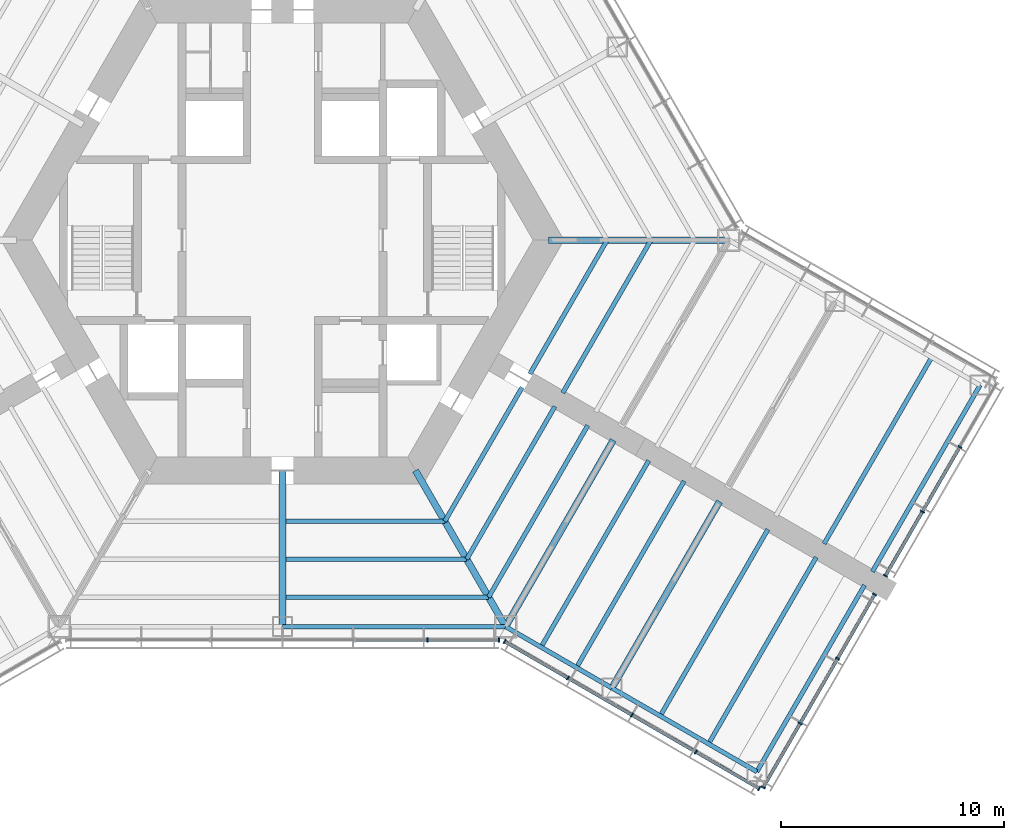
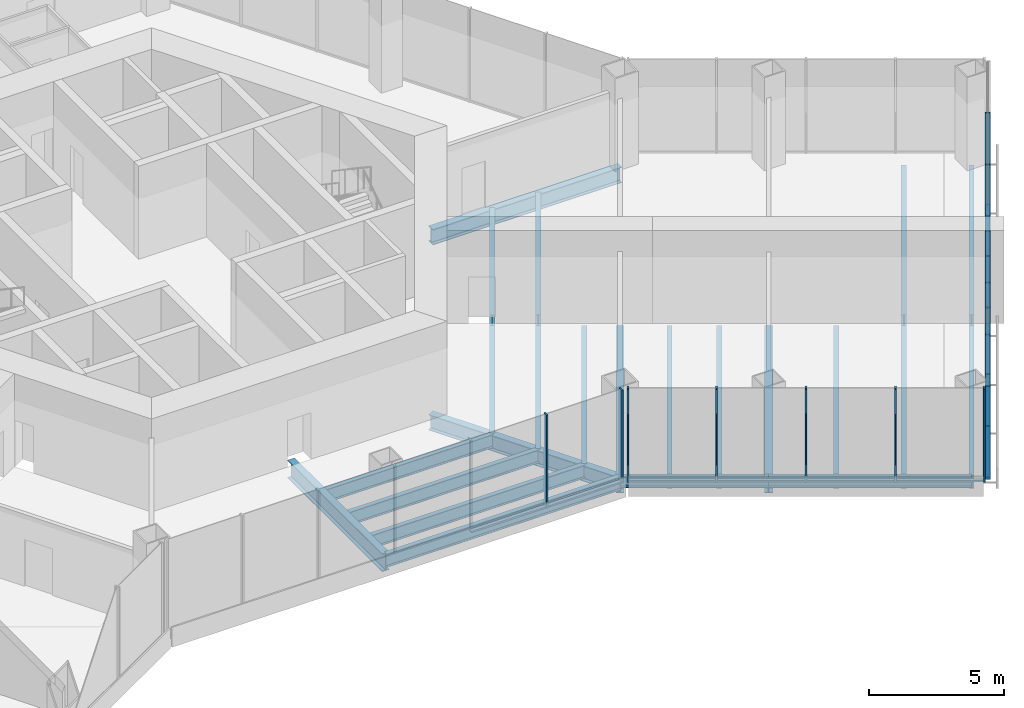
# One storey, part 4 of 15: 25 members, 23 beams, 4 elements without a shape of their own.
"""IFC4 building model written with IfcOpenShell, lengths in metres."""

from ifc_helpers import new_model, si_unit, direction, frame, origin, origin_2d, place, context, subcontext, project, spatial, rectangle, i_section, extrude, material, material_profile, profile_set, type_object, element, aggregate, save


model = new_model("IFC4")

# Units and contexts
model_context = context("Model", 3, precision=1e-05, world=origin(), true_north=direction((0.0, 1.0)))
body_context = subcontext(model_context, "Body", "Model", "MODEL_VIEW")
ifc_project = project(units=[si_unit("LENGTHUNIT", "METRE"), si_unit("AREAUNIT", "SQUARE_METRE"), si_unit("VOLUMEUNIT", "CUBIC_METRE"), si_unit("PLANEANGLEUNIT", "RADIAN"), si_unit("MASSUNIT", "GRAM", prefix="KILO")], contexts=[model_context])

# Site, building, storey
site_placement = place(None, origin())
site = spatial("IfcSite", under=ifc_project, at=site_placement, CompositionType="ELEMENT")
building_placement = place(site_placement, origin())
building = spatial("IfcBuilding", under=site, at=building_placement, Name="Kasaneha Research Tower", CompositionType="ELEMENT")
storey_placement = place(building_placement, frame((0.0, 0.0, 35.199951171875)))
storey = spatial("IfcBuildingStorey", under=building, at=storey_placement, Name="L09", CompositionType="ELEMENT", Elevation=35.199951171875)

# Beams
ifc_material_1 = material(Name="Steel SN490B", Category="steel")
ifc_material_profile_1 = material_profile(ifc_material_1, i_section(OverallWidth=0.199951171875, OverallDepth=0.60009765625, WebThickness=0.010986328125, FlangeThickness=0.01708984375, FilletRadius=0.012939453125, at=origin_2d()), Name="H-600x200x11x17")
ifc_profile_set_1 = profile_set([ifc_material_profile_1], Name="Steel SN490B")
beam_type_1 = type_object("IfcBeamType", Name="B1-2 secondary beam H-600x200x11x17", PredefinedType="JOIST", material=ifc_profile_set_1)
beam_1_placement = place(storey_placement, frame((7.274658203125, -12.60009765625, -0.469970703125), z_axis=(-1.0, 0.0, 0.0), x_axis=(0.0, -1.0, 0.0)))
element("IfcBeam", 1, at=beam_1_placement, inside=storey, type_object=beam_type_1, Name="Secondary beam RS270R1 L09", PredefinedType="JOIST", context=body_context, shape_type="SweptSolid", body=[
    extrude(i_section(OverallWidth=0.199951171875, OverallDepth=0.60009765625, WebThickness=0.010986328125, FlangeThickness=0.01708984375, FilletRadius=0.012939453125, at=origin_2d()), origin(), (0.0, 0.0, 1.0), 7.124755859375),
])
beam_2_placement = place(storey_placement, frame((8.256103515625, -14.300048828125, -0.469970703125), z_axis=(-1.0, 0.0, 0.0), x_axis=(0.0, -1.0, 0.0)))
element("IfcBeam", 2, at=beam_2_placement, inside=storey, type_object=beam_type_1, Name="Secondary beam RS270R2 L09", PredefinedType="JOIST", context=body_context, shape_type="SweptSolid", body=[
    extrude(i_section(OverallWidth=0.199951171875, OverallDepth=0.60009765625, WebThickness=0.010986328125, FlangeThickness=0.01708984375, FilletRadius=0.012939453125, at=origin_2d()), origin(), (0.0, 0.0, 1.0), 8.106201171875),
])
beam_3_placement = place(storey_placement, frame((9.237548828125, -16.0, -0.469970703125), z_axis=(-1.0, 0.0, 0.0), x_axis=(0.0, -1.0, 0.0)))
element("IfcBeam", 3, at=beam_3_placement, inside=storey, type_object=beam_type_1, Name="Secondary beam RS270R3 L09", PredefinedType="JOIST", context=body_context, shape_type="SweptSolid", body=[
    extrude(i_section(OverallWidth=0.199951171875, OverallDepth=0.60009765625, WebThickness=0.010986328125, FlangeThickness=0.01708984375, FilletRadius=0.012939453125, at=origin_2d()), origin(), (0.0, 0.0, 1.0), 9.087646484375),
])
beam_4_placement = place(storey_placement, frame((7.274658203125, -12.60009765625, -0.469970703125), z_axis=(0.499972710878, 0.866041158593, 0.0), x_axis=(-0.866041158593, 0.499972710878, 0.0)))
element("IfcBeam", 4, at=beam_4_placement, inside=storey, type_object=beam_type_1, Name="Secondary beam RS330L1 L09", PredefinedType="JOIST", context=body_context, shape_type="SweptSolid", body=[
    extrude(i_section(OverallWidth=0.199951171875, OverallDepth=0.60009765625, WebThickness=0.010986328125, FlangeThickness=0.01708984375, FilletRadius=0.012939453125, at=origin_2d()), origin(), (0.0, 0.0, 1.0), 6.9248046875),
])
beam_5_placement = place(storey_placement, frame((8.256103515625, -14.300048828125, -0.469970703125), z_axis=(0.500004902938, 0.866022573054, 0.0), x_axis=(-0.866022573054, 0.500004902938, 0.0)))
element("IfcBeam", 5, at=beam_5_placement, inside=storey, type_object=beam_type_1, Name="Secondary beam RS330L2 L09", PredefinedType="JOIST", context=body_context, shape_type="SweptSolid", body=[
    extrude(i_section(OverallWidth=0.199951171875, OverallDepth=0.60009765625, WebThickness=0.010986328125, FlangeThickness=0.01708984375, FilletRadius=0.012939453125, at=origin_2d()), origin(), (0.0, 0.0, 1.0), 7.90625),
])
beam_6_placement = place(storey_placement, frame((9.237548828125, -16.0, -0.469970703125), z_axis=(0.500009382636, 0.866019986649, 0.0), x_axis=(-0.866019986649, 0.500009382636, 0.0)))
element("IfcBeam", 6, at=beam_6_placement, inside=storey, type_object=beam_type_1, Name="Secondary beam RS330L3 L09", PredefinedType="JOIST", context=body_context, shape_type="SweptSolid", body=[
    extrude(i_section(OverallWidth=0.199951171875, OverallDepth=0.60009765625, WebThickness=0.010986328125, FlangeThickness=0.01708984375, FilletRadius=0.012939453125, at=origin_2d()), origin(), (0.0, 0.0, 1.0), 8.887451171875),
])
beam_7_placement = place(storey_placement, frame((14.54931640625, 0.0, -0.469970703125), z_axis=(-0.500014420154, -0.866017078145, 0.0), x_axis=(0.866017078145, -0.500014420154, 0.0)))
element("IfcBeam", 7, at=beam_7_placement, inside=storey, type_object=beam_type_1, Name="Secondary beam RS330R1 L09", PredefinedType="JOIST", context=body_context, shape_type="SweptSolid", body=[
    extrude(i_section(OverallWidth=0.199951171875, OverallDepth=0.60009765625, WebThickness=0.010986328125, FlangeThickness=0.01708984375, FilletRadius=0.012939453125, at=origin_2d()), origin(), (0.0, 0.0, 1.0), 6.924560546875),
])
beam_8_placement = place(storey_placement, frame((16.51220703125, 0.0, -0.469970703125), z_axis=(-0.500004902938, -0.866022573054, 0.0), x_axis=(0.866022573054, -0.500004902938, 0.0)))
element("IfcBeam", 8, at=beam_8_placement, inside=storey, type_object=beam_type_1, Name="Secondary beam RS330R2 L09", PredefinedType="JOIST", context=body_context, shape_type="SweptSolid", body=[
    extrude(i_section(OverallWidth=0.199951171875, OverallDepth=0.60009765625, WebThickness=0.010986328125, FlangeThickness=0.01708984375, FilletRadius=0.012939453125, at=origin_2d()), origin(), (0.0, 0.0, 1.0), 7.90625),
])
ifc_material_2 = material(Name="Steel SN490B", Category="steel")
ifc_material_profile_2 = material_profile(ifc_material_2, i_section(OverallWidth=0.198974609375, OverallDepth=0.595947265625, WebThickness=0.010009765625, FlangeThickness=0.014892578125, FilletRadius=0.012939453125, at=origin_2d()), Name="H-596x199x10x15")
ifc_profile_set_2 = profile_set([ifc_material_profile_2], Name="Steel SN490B")
beam_type_2 = type_object("IfcBeamType", Name="B2-2 secondary beam H-596x199x10x15", PredefinedType="JOIST", material=ifc_profile_set_2)
for number, where, z_axis, x_axis, name in (
    (9, (11.587646484375, -18.237060546875, -0.468017578125), (0.50000569793, 0.866022114058, 0.0), (-0.866022114058, 0.50000569793, 0.0), "Secondary beam WBCP1 L09"),
    (10, (13.175537109375, -19.15380859375, -0.468017578125), (0.499994742786, 0.866028439017, 0.0), (-0.866028439017, 0.499994742786, 0.0), "Secondary beam WBCP2 L09"),
    (11, (16.92822265625, -21.320556640625, -0.468017578125), (0.499994742786, 0.866028439017, 0.0), (-0.866028439017, 0.499994742786, 0.0), "Secondary beam WBCP3 L09"),
    (12, (19.09326171875, -22.570556640625, -0.468017578125), (0.499994742786, 0.866028439017, 0.0), (-0.866028439017, 0.499994742786, 0.0), "Secondary beam WBCP4 L09"),
    (13, (29.09326171875, -5.25, -0.468017578125), (-0.499994742786, -0.866028439017, 0.0), (0.866028439017, -0.499994742786, 0.0), "Secondary beam WBCN4 L09"),
):
    element("IfcBeam", number, at=place(storey_placement, frame(where, z_axis=z_axis, x_axis=x_axis)), inside=storey, type_object=beam_type_2, Name=name, PredefinedType="JOIST", context=body_context, shape_type="SweptSolid", body=[
        extrude(i_section(OverallWidth=0.198974609375, OverallDepth=0.595947265625, WebThickness=0.010009765625, FlangeThickness=0.014892578125, FilletRadius=0.012939453125, at=origin_2d()), origin(), (0.0, 0.0, 1.0), 9.64990234375),
    ])

# Curtain wall, members
ifc_material_3 = material(Name="Glass and aluminium", Category="aluminium")
curtain_wall_type = type_object("IfcCurtainWallType", Name="Dry laboratory curtain wall", PredefinedType="USERDEFINED", material=ifc_material_3)
curtain_wall_1_placement = place(storey_placement, origin())
curtain_wall_1 = element("IfcCurtainWall", 14, at=curtain_wall_1_placement, inside=storey, type_object=curtain_wall_type, Name="CW-L2 L09 run 02a", ObjectType="UNITISED CURTAIN WALL", PredefinedType="USERDEFINED")
ifc_material_4 = material(Name="Aluminium 6063-T6", Category="aluminium")
ifc_material_profile_3 = material_profile(ifc_material_4, rectangle(XDim=0.06494140625, YDim=0.199951171875, at=origin_2d()), Name="CW-L2 mullion 65x200")
ifc_profile_set_3 = profile_set([ifc_material_profile_3], Name="Aluminium 6063-T6")
member_type_1 = type_object("IfcMemberType", Name="CW-L2 mullion", PredefinedType="MULLION", material=ifc_profile_set_3)
member_1_placement = place(storey_placement, frame((6.492919921875, -17.92041015625, 0.0), z_axis=(0.0, 0.0, 1.0), x_axis=(1.0, 0.0, 0.0)))
member_1 = element("IfcMember", 15, at=member_1_placement, type_object=member_type_1, Name="CW-L2 mullion 6", PredefinedType="MULLION", context=body_context, shape_type="SweptSolid", body=[
    extrude(rectangle(XDim=0.06494140625, YDim=0.199951171875, at=origin_2d()), origin(), (0.0, 0.0, 1.0), 4.199951171875),
])
member_2_placement = place(storey_placement, frame((9.706787109375, -17.92041015625, 0.0), z_axis=(0.0, 0.0, 1.0), x_axis=(1.0, 0.0, 0.0)))
member_2 = element("IfcMember", 16, at=member_2_placement, type_object=member_type_1, Name="CW-L2 mullion 7", PredefinedType="MULLION", context=body_context, shape_type="SweptSolid", body=[
    extrude(rectangle(XDim=0.06494140625, YDim=0.199951171875, at=origin_2d()), origin(), (0.0, 0.0, 1.0), 4.199951171875),
])

curtain_wall_2_placement = place(storey_placement, origin())
curtain_wall_2 = element("IfcCurtainWall", 17, at=curtain_wall_2_placement, inside=storey, type_object=curtain_wall_type, Name="CW-L2 L09 run 03a", ObjectType="UNITISED CURTAIN WALL", PredefinedType="USERDEFINED")
member_3_placement = place(storey_placement, frame((9.953857421875, -17.98681640625, 0.0), z_axis=(0.0, 0.0, 1.0), x_axis=(0.866025411464, -0.499999986699, 0.0)))
member_3 = element("IfcMember", 18, at=member_3_placement, type_object=member_type_1, Name="CW-L2 mullion 1", PredefinedType="MULLION", context=body_context, shape_type="SweptSolid", body=[
    extrude(rectangle(XDim=0.06494140625, YDim=0.199951171875, at=origin_2d()), origin(), (0.0, 0.0, 1.0), 4.199951171875),
])
member_4_placement = place(storey_placement, frame((12.792236328125, -19.62548828125, 0.0), z_axis=(0.0, 0.0, 1.0), x_axis=(0.866025411464, -0.499999986699, 0.0)))
member_4 = element("IfcMember", 19, at=member_4_placement, type_object=member_type_1, Name="CW-L2 mullion 2", PredefinedType="MULLION", context=body_context, shape_type="SweptSolid", body=[
    extrude(rectangle(XDim=0.06494140625, YDim=0.199951171875, at=origin_2d()), origin(), (0.0, 0.0, 1.0), 4.199951171875),
])
member_5_placement = place(storey_placement, frame((15.65869140625, -21.2802734375, 0.0), z_axis=(0.0, 0.0, 1.0), x_axis=(0.866025411464, -0.499999986699, 0.0)))
member_5 = element("IfcMember", 20, at=member_5_placement, type_object=member_type_1, Name="CW-L2 mullion 3", PredefinedType="MULLION", context=body_context, shape_type="SweptSolid", body=[
    extrude(rectangle(XDim=0.06494140625, YDim=0.199951171875, at=origin_2d()), origin(), (0.0, 0.0, 1.0), 4.199951171875),
])
member_6_placement = place(storey_placement, frame((18.52490234375, -22.935302734375, 0.0), z_axis=(0.0, 0.0, 1.0), x_axis=(0.866025411464, -0.499999986699, 0.0)))
member_6 = element("IfcMember", 21, at=member_6_placement, type_object=member_type_1, Name="CW-L2 mullion 4", PredefinedType="MULLION", context=body_context, shape_type="SweptSolid", body=[
    extrude(rectangle(XDim=0.06494140625, YDim=0.199951171875, at=origin_2d()), origin(), (0.0, 0.0, 1.0), 4.199951171875),
])
member_7_placement = place(storey_placement, frame((21.36328125, -24.573974609375, 0.0), z_axis=(0.0, 0.0, 1.0), x_axis=(0.866025411464, -0.499999986699, 0.0)))
member_7 = element("IfcMember", 22, at=member_7_placement, type_object=member_type_1, Name="CW-L2 mullion 5", PredefinedType="MULLION", context=body_context, shape_type="SweptSolid", body=[
    extrude(rectangle(XDim=0.06494140625, YDim=0.199951171875, at=origin_2d()), origin(), (0.0, 0.0, 1.0), 4.199951171875),
])

curtain_wall_3_placement = place(storey_placement, origin())
curtain_wall_3 = element("IfcCurtainWall", 23, at=curtain_wall_3_placement, inside=storey, type_object=curtain_wall_type, Name="CW-L2 L09 run 04a", ObjectType="UNITISED CURTAIN WALL", PredefinedType="USERDEFINED")
member_8_placement = place(storey_placement, frame((21.544189453125, -24.525390625, 0.0), z_axis=(0.0, 0.0, 1.0), x_axis=(0.500000011442, 0.866025397178, 0.0)))
member_8 = element("IfcMember", 24, at=member_8_placement, type_object=member_type_1, Name="CW-L2 mullion 1", PredefinedType="MULLION", context=body_context, shape_type="SweptSolid", body=[
    extrude(rectangle(XDim=0.06494140625, YDim=0.199951171875, at=origin_2d()), origin(), (0.0, 0.0, 1.0), 4.199951171875),
])
member_9_placement = place(storey_placement, frame((23.202880859375, -21.65234375, 0.0), z_axis=(0.0, 0.0, 1.0), x_axis=(0.500000011442, 0.866025397178, 0.0)))
member_9 = element("IfcMember", 25, at=member_9_placement, type_object=member_type_1, Name="CW-L2 mullion 2", PredefinedType="MULLION", context=body_context, shape_type="SweptSolid", body=[
    extrude(rectangle(XDim=0.06494140625, YDim=0.199951171875, at=origin_2d()), origin(), (0.0, 0.0, 1.0), 4.199951171875),
])
member_10_placement = place(storey_placement, frame((24.8779296875, -18.751220703125, 0.0), z_axis=(0.0, 0.0, 1.0), x_axis=(0.500000011442, 0.866025397178, 0.0)))
member_10 = element("IfcMember", 26, at=member_10_placement, type_object=member_type_1, Name="CW-L2 mullion 3", PredefinedType="MULLION", context=body_context, shape_type="SweptSolid", body=[
    extrude(rectangle(XDim=0.06494140625, YDim=0.199951171875, at=origin_2d()), origin(), (0.0, 0.0, 1.0), 4.199951171875),
])
member_11_placement = place(storey_placement, frame((26.53662109375, -15.878173828125, 0.0), z_axis=(0.0, 0.0, 1.0), x_axis=(0.500000011442, 0.866025397178, 0.0)))
member_11 = element("IfcMember", 27, at=member_11_placement, type_object=member_type_1, Name="CW-L2 mullion 4", PredefinedType="MULLION", context=body_context, shape_type="SweptSolid", body=[
    extrude(rectangle(XDim=0.06494140625, YDim=0.199951171875, at=origin_2d()), origin(), (0.0, 0.0, 1.0), 4.199951171875),
])

curtain_wall_4_placement = place(storey_placement, origin())
curtain_wall_4 = element("IfcCurtainWall", 28, at=curtain_wall_4_placement, inside=storey, type_object=curtain_wall_type, Name="CW-L2 L09 run 05a", ObjectType="UNITISED CURTAIN WALL", PredefinedType="USERDEFINED")
member_12_placement = place(storey_placement, frame((27.019287109375, -15.04248046875, 0.0), z_axis=(0.0, 0.0, 1.0), x_axis=(0.500000011442, 0.866025397178, 0.0)))
member_12 = element("IfcMember", 29, at=member_12_placement, type_object=member_type_1, Name="CW-L2 mullion 1", PredefinedType="MULLION", context=body_context, shape_type="SweptSolid", body=[
    extrude(rectangle(XDim=0.06494140625, YDim=0.199951171875, at=origin_2d()), origin(), (0.0, 0.0, 1.0), 4.199951171875),
])
member_13_placement = place(storey_placement, frame((28.677978515625, -12.16943359375, 0.0), z_axis=(0.0, 0.0, 1.0), x_axis=(0.500000011442, 0.866025397178, 0.0)))
member_13 = element("IfcMember", 30, at=member_13_placement, type_object=member_type_1, Name="CW-L2 mullion 2", PredefinedType="MULLION", context=body_context, shape_type="SweptSolid", body=[
    extrude(rectangle(XDim=0.06494140625, YDim=0.199951171875, at=origin_2d()), origin(), (0.0, 0.0, 1.0), 4.199951171875),
])
member_14_placement = place(storey_placement, frame((30.35302734375, -9.26806640625, 0.0), z_axis=(0.0, 0.0, 1.0), x_axis=(0.500000011442, 0.866025397178, 0.0)))
member_14 = element("IfcMember", 31, at=member_14_placement, type_object=member_type_1, Name="CW-L2 mullion 3", PredefinedType="MULLION", context=body_context, shape_type="SweptSolid", body=[
    extrude(rectangle(XDim=0.06494140625, YDim=0.199951171875, at=origin_2d()), origin(), (0.0, 0.0, 1.0), 4.199951171875),
])

# Member
ifc_material_5 = material(Name="Aluminium 6063-T6", Category="aluminium")
ifc_material_profile_4 = material_profile(ifc_material_5, rectangle(XDim=0.14990234375, YDim=0.06494140625, at=origin_2d()), Name="CW-L2 transom 150x65")
ifc_profile_set_4 = profile_set([ifc_material_profile_4], Name="Aluminium 6063-T6")
member_type_2 = type_object("IfcMemberType", Name="CW-L2 transom", PredefinedType="USERDEFINED", material=ifc_profile_set_4)
member_15_placement = place(storey_placement, frame((3.27880859375, -17.92041015625, 0.032470703125), z_axis=(1.0, 0.0, 0.0), x_axis=(0.0, 1.0, 0.0)))
member_15 = element("IfcMember", 32, at=member_15_placement, type_object=member_type_2, Name="CW-L2 transom 5", ObjectType="TRANSOM", PredefinedType="USERDEFINED", context=body_context, shape_type="SweptSolid", body=[
    extrude(rectangle(XDim=0.14990234375, YDim=0.06494140625, at=origin_2d()), origin(), (0.0, 0.0, 1.0), 3.181396484375),
])

member_16_placement = place(storey_placement, frame((6.525390625, -17.92041015625, 0.032470703125), z_axis=(1.0, 0.0, 0.0), x_axis=(0.0, 1.0, 0.0)))
member_16 = element("IfcMember", 33, at=member_16_placement, type_object=member_type_2, Name="CW-L2 transom 6", ObjectType="TRANSOM", PredefinedType="USERDEFINED", context=body_context, shape_type="SweptSolid", body=[
    extrude(rectangle(XDim=0.14990234375, YDim=0.06494140625, at=origin_2d()), origin(), (0.0, 0.0, 1.0), 3.14892578125),
])

aggregate(curtain_wall_1, [member_1, member_2, member_15, member_16])

member_17_placement = place(storey_placement, frame((9.982177734375, -18.0029296875, 0.032470703125), z_axis=(0.866022320763, -0.500005339912, 0.0), x_axis=(0.500005339912, 0.866022320763, 0.0)))
member_17 = element("IfcMember", 34, at=member_17_placement, type_object=member_type_2, Name="CW-L2 transom 1", ObjectType="TRANSOM", PredefinedType="USERDEFINED", context=body_context, shape_type="SweptSolid", body=[
    extrude(rectangle(XDim=0.14990234375, YDim=0.06494140625, at=origin_2d()), origin(), (0.0, 0.0, 1.0), 3.21240234375),
])

member_18_placement = place(storey_placement, frame((12.8203125, -19.6416015625, 0.032470703125), z_axis=(0.866002649306, -0.500039409842, 0.0), x_axis=(0.500039409842, 0.866002649306, 0.0)))
member_18 = element("IfcMember", 35, at=member_18_placement, type_object=member_type_2, Name="CW-L2 transom 2", ObjectType="TRANSOM", PredefinedType="USERDEFINED", context=body_context, shape_type="SweptSolid", body=[
    extrude(rectangle(XDim=0.14990234375, YDim=0.06494140625, at=origin_2d()), origin(), (0.0, 0.0, 1.0), 3.244873046875),
])

member_19_placement = place(storey_placement, frame((15.686767578125, -21.296630859375, 0.032470703125), z_axis=(0.866035229914, -0.499982980259, 0.0), x_axis=(0.499982980259, 0.866035229914, 0.0)))
member_19 = element("IfcMember", 36, at=member_19_placement, type_object=member_type_2, Name="CW-L2 transom 3", ObjectType="TRANSOM", PredefinedType="USERDEFINED", context=body_context, shape_type="SweptSolid", body=[
    extrude(rectangle(XDim=0.14990234375, YDim=0.06494140625, at=origin_2d()), origin(), (0.0, 0.0, 1.0), 3.24462890625),
])

member_20_placement = place(storey_placement, frame((18.55322265625, -22.951416015625, 0.032470703125), z_axis=(0.86600331843, -0.500038251005, 0.0), x_axis=(0.500038251005, 0.86600331843, 0.0)))
member_20 = element("IfcMember", 37, at=member_20_placement, type_object=member_type_2, Name="CW-L2 transom 4", ObjectType="TRANSOM", PredefinedType="USERDEFINED", context=body_context, shape_type="SweptSolid", body=[
    extrude(rectangle(XDim=0.14990234375, YDim=0.06494140625, at=origin_2d()), origin(), (0.0, 0.0, 1.0), 3.212158203125),
])

aggregate(curtain_wall_2, [member_3, member_4, member_5, member_6, member_7, member_17, member_18, member_19, member_20])

member_21_placement = place(storey_placement, frame((21.560546875, -24.497314453125, 0.032470703125), z_axis=(0.499973687205, 0.866040594951, 0.0), x_axis=(-0.866040594951, 0.499973687205, 0.0)))
member_21 = element("IfcMember", 38, at=member_21_placement, type_object=member_type_2, Name="CW-L2 transom 1", ObjectType="TRANSOM", PredefinedType="USERDEFINED", context=body_context, shape_type="SweptSolid", body=[
    extrude(rectangle(XDim=0.14990234375, YDim=0.06494140625, at=origin_2d()), origin(), (0.0, 0.0, 1.0), 3.252685546875),
])

member_22_placement = place(storey_placement, frame((23.21923828125, -21.624267578125, 0.032470703125), z_axis=(0.50000765355, 0.86602098496, 0.0), x_axis=(-0.86602098496, 0.50000765355, 0.0)))
member_22 = element("IfcMember", 39, at=member_22_placement, type_object=member_type_2, Name="CW-L2 transom 2", ObjectType="TRANSOM", PredefinedType="USERDEFINED", context=body_context, shape_type="SweptSolid", body=[
    extrude(rectangle(XDim=0.14990234375, YDim=0.06494140625, at=origin_2d()), origin(), (0.0, 0.0, 1.0), 3.28515625),
])

member_23_placement = place(storey_placement, frame((24.894287109375, -18.722900390625, 0.032470703125), z_axis=(0.500006189695, 0.866021830133, 0.0), x_axis=(-0.866021830133, 0.500006189695, 0.0)))
member_23 = element("IfcMember", 40, at=member_23_placement, type_object=member_type_2, Name="CW-L2 transom 3", ObjectType="TRANSOM", PredefinedType="USERDEFINED", context=body_context, shape_type="SweptSolid", body=[
    extrude(rectangle(XDim=0.14990234375, YDim=0.06494140625, at=origin_2d()), origin(), (0.0, 0.0, 1.0), 3.25244140625),
])

aggregate(curtain_wall_3, [member_8, member_9, member_10, member_11, member_21, member_22, member_23])

member_24_placement = place(storey_placement, frame((27.035400390625, -15.01416015625, 0.032470703125), z_axis=(0.500006189695, 0.866021830133, 0.0), x_axis=(-0.866021830133, 0.500006189695, 0.0)))
member_24 = element("IfcMember", 41, at=member_24_placement, type_object=member_type_2, Name="CW-L2 transom 1", ObjectType="TRANSOM", PredefinedType="USERDEFINED", context=body_context, shape_type="SweptSolid", body=[
    extrude(rectangle(XDim=0.14990234375, YDim=0.06494140625, at=origin_2d()), origin(), (0.0, 0.0, 1.0), 3.25244140625),
])

member_25_placement = place(storey_placement, frame((28.694091796875, -12.14111328125, 0.032470703125), z_axis=(0.500039835994, 0.866002403241, 0.0), x_axis=(-0.866002403241, 0.500039835994, 0.0)))
member_25 = element("IfcMember", 42, at=member_25_placement, type_object=member_type_2, Name="CW-L2 transom 2", ObjectType="TRANSOM", PredefinedType="USERDEFINED", context=body_context, shape_type="SweptSolid", body=[
    extrude(rectangle(XDim=0.14990234375, YDim=0.06494140625, at=origin_2d()), origin(), (0.0, 0.0, 1.0), 3.284912109375),
])

aggregate(curtain_wall_4, [member_12, member_13, member_14, member_24, member_25])

# Beams
ifc_material_6 = material(Name="Steel SN490B", Category="steel")
ifc_material_profile_5 = material_profile(ifc_material_6, i_section(OverallWidth=0.300048828125, OverallDepth=0.699951171875, WebThickness=0.012939453125, FlangeThickness=0.02392578125, FilletRadius=0.01806640625, at=origin_2d()), Name="H-700x300x13x24")
ifc_profile_set_5 = profile_set([ifc_material_profile_5], Name="Steel SN490B")
beam_type_3 = type_object("IfcBeamType", Name="G1-2 radial girder H-700x300x13x24", PredefinedType="BEAM", material=ifc_profile_set_5)
beam_9_placement = place(storey_placement, frame((11.92236328125, 0.0, -0.52001953125), z_axis=(1.0, 0.0, 0.0), x_axis=(0.0, 1.0, 0.0)))
element("IfcBeam", 43, at=beam_9_placement, inside=storey, type_object=beam_type_3, Name="Radial girder RV000 L09", PredefinedType="BEAM", context=body_context, shape_type="SweptSolid", body=[
    extrude(i_section(OverallWidth=0.300048828125, OverallDepth=0.699951171875, WebThickness=0.012939453125, FlangeThickness=0.02392578125, FilletRadius=0.01806640625, at=origin_2d()), origin(), (0.0, 0.0, 1.0), 8.07763671875),
])
beam_10_placement = place(storey_placement, frame((5.961181640625, -10.324951171875, -0.52001953125), z_axis=(0.49999105496, -0.866030568144, 0.0), x_axis=(0.866030568144, 0.49999105496, 0.0)))
element("IfcBeam", 44, at=beam_10_placement, inside=storey, type_object=beam_type_3, Name="Radial girder RV300 L09", PredefinedType="BEAM", context=body_context, shape_type="SweptSolid", body=[
    extrude(i_section(OverallWidth=0.300048828125, OverallDepth=0.699951171875, WebThickness=0.012939453125, FlangeThickness=0.02392578125, FilletRadius=0.01806640625, at=origin_2d()), origin(), (0.0, 0.0, 1.0), 8.077880859375),
])
ifc_material_7 = material(Name="Steel SN490B", Category="steel")
ifc_material_profile_6 = material_profile(ifc_material_7, i_section(OverallWidth=0.300048828125, OverallDepth=0.800048828125, WebThickness=0.013916015625, FlangeThickness=0.02587890625, FilletRadius=0.01806640625, at=origin_2d()), Name="H-800x300x14x26")
ifc_profile_set_6 = profile_set([ifc_material_profile_6], Name="Steel SN490B")
beam_type_4 = type_object("IfcBeamType", Name="G2-2 radial girder H-800x300x14x26", PredefinedType="BEAM", material=ifc_profile_set_6)
beam_11_placement = place(storey_placement, frame((0.0, -10.324951171875, -0.570068359375), z_axis=(0.0, -1.0, 0.0), x_axis=(1.0, 0.0, 0.0)))
element("IfcBeam", 45, at=beam_11_placement, inside=storey, type_object=beam_type_4, Name="Radial girder RM270 L09", PredefinedType="BEAM", context=body_context, shape_type="SweptSolid", body=[
    extrude(i_section(OverallWidth=0.300048828125, OverallDepth=0.800048828125, WebThickness=0.013916015625, FlangeThickness=0.02587890625, FilletRadius=0.01806640625, at=origin_2d()), origin(), (0.0, 0.0, 1.0), 6.99560546875),
])
ifc_material_8 = material(Name="Steel SN490B", Category="steel")
ifc_material_profile_7 = material_profile(ifc_material_8, i_section(OverallWidth=0.300048828125, OverallDepth=0.7919921875, WebThickness=0.013916015625, FlangeThickness=0.02197265625, FilletRadius=0.01806640625, at=origin_2d()), Name="H-792x300x14x22")
ifc_profile_set_7 = profile_set([ifc_material_profile_7], Name="Steel SN490B")
beam_type_5 = type_object("IfcBeamType", Name="G3-2 plate edge girder H-792x300x14x22", PredefinedType="BEAM", material=ifc_profile_set_7)
beam_12_placement = place(storey_placement, frame((10.0, -17.320556640625, -0.56591796875), z_axis=(0.499994742786, 0.866028439017, 0.0), x_axis=(-0.866028439017, 0.499994742786, 0.0)))
element("IfcBeam", 46, at=beam_12_placement, inside=storey, type_object=beam_type_5, Name="Plate edge girder PECP L09", PredefinedType="BEAM", context=body_context, shape_type="SweptSolid", body=[
    extrude(i_section(OverallWidth=0.300048828125, OverallDepth=0.7919921875, WebThickness=0.013916015625, FlangeThickness=0.02197265625, FilletRadius=0.01806640625, at=origin_2d()), origin(), (0.0, 0.0, 1.0), 9.64990234375),
])
ifc_material_9 = material(Name="Steel SN490B", Category="steel")
ifc_material_profile_8 = material_profile(ifc_material_9, i_section(OverallWidth=0.300048828125, OverallDepth=0.800048828125, WebThickness=0.013916015625, FlangeThickness=0.02587890625, FilletRadius=0.01806640625, at=origin_2d()), Name="H-800x300x14x26")
ifc_profile_set_8 = profile_set([ifc_material_profile_8], Name="Steel SN490B")
beam_type_6 = type_object("IfcBeamType", Name="G4-2 wing girder H-800x300x14x26", PredefinedType="BEAM", material=ifc_profile_set_8)
beam_13_placement = place(storey_placement, frame((14.76318359375, -20.070556640625, -0.570068359375), z_axis=(0.499994742786, 0.866028439017, 0.0), x_axis=(-0.866028439017, 0.499994742786, 0.0)))
element("IfcBeam", 47, at=beam_13_placement, inside=storey, type_object=beam_type_6, Name="Wing girder WGCP L09", PredefinedType="BEAM", context=body_context, shape_type="SweptSolid", body=[
    extrude(i_section(OverallWidth=0.300048828125, OverallDepth=0.800048828125, WebThickness=0.013916015625, FlangeThickness=0.02587890625, FilletRadius=0.01806640625, at=origin_2d()), origin(), (0.0, 0.0, 1.0), 9.64990234375),
])
ifc_material_10 = material(Name="Steel SN490B", Category="steel")
ifc_material_profile_9 = material_profile(ifc_material_10, i_section(OverallWidth=0.199951171875, OverallDepth=0.60009765625, WebThickness=0.010986328125, FlangeThickness=0.01708984375, FilletRadius=0.012939453125, at=origin_2d()), Name="H-600x200x11x17")
ifc_profile_set_9 = profile_set([ifc_material_profile_9], Name="Steel SN490B")
beam_type_7 = type_object("IfcBeamType", Name="SB1-2 spandrel beam H-600x200x11x17", PredefinedType="SPANDREL", material=ifc_profile_set_9)
beam_14_placement = place(storey_placement, frame((10.0, -17.320556640625, -0.469970703125), z_axis=(-1.0, 0.0, 0.0), x_axis=(0.0, -1.0, 0.0)))
element("IfcBeam", 48, at=beam_14_placement, inside=storey, type_object=beam_type_7, Name="Spandrel beam SR270R L09", PredefinedType="SPANDREL", context=body_context, shape_type="SweptSolid", body=[
    extrude(i_section(OverallWidth=0.199951171875, OverallDepth=0.60009765625, WebThickness=0.010986328125, FlangeThickness=0.01708984375, FilletRadius=0.012939453125, at=origin_2d()), origin(), (0.0, 0.0, 1.0), 10.0),
])
ifc_material_11 = material(Name="Steel SN490B", Category="steel")
ifc_material_profile_10 = material_profile(ifc_material_11, i_section(OverallWidth=0.199951171875, OverallDepth=0.5, WebThickness=0.010009765625, FlangeThickness=0.01611328125, FilletRadius=0.012939453125, at=origin_2d()), Name="H-500x200x10x16")
ifc_profile_set_10 = profile_set([ifc_material_profile_10], Name="Steel SN490B")
beam_type_8 = type_object("IfcBeamType", Name="SB2-2 spandrel beam H-500x200x10x16", PredefinedType="SPANDREL", material=ifc_profile_set_10)
beam_15_placement = place(storey_placement, frame((10.0, -17.320556640625, -0.419921875), z_axis=(0.866027397988, -0.499996545922, 0.0), x_axis=(0.499996545922, 0.866027397988, 0.0)))
element("IfcBeam", 49, at=beam_15_placement, inside=storey, type_object=beam_type_8, Name="Spandrel beam WSCP1 L09", PredefinedType="SPANDREL", context=body_context, shape_type="SweptSolid", body=[
    extrude(i_section(OverallWidth=0.199951171875, OverallDepth=0.5, WebThickness=0.010009765625, FlangeThickness=0.01611328125, FilletRadius=0.012939453125, at=origin_2d()), origin(), (0.0, 0.0, 1.0), 5.5),
])
beam_16_placement = place(storey_placement, frame((14.76318359375, -20.070556640625, -0.419921875), z_axis=(0.866022959057, -0.500004234368, 0.0), x_axis=(0.500004234368, 0.866022959057, 0.0)))
element("IfcBeam", 50, at=beam_16_placement, inside=storey, type_object=beam_type_8, Name="Spandrel beam WSCP2 L09", PredefinedType="SPANDREL", context=body_context, shape_type="SweptSolid", body=[
    extrude(i_section(OverallWidth=0.199951171875, OverallDepth=0.5, WebThickness=0.010009765625, FlangeThickness=0.01611328125, FilletRadius=0.012939453125, at=origin_2d()), origin(), (0.0, 0.0, 1.0), 7.5),
])
ifc_material_12 = material(Name="Steel SN490B", Category="steel")
ifc_material_profile_11 = material_profile(ifc_material_12, i_section(OverallWidth=0.199951171875, OverallDepth=0.60009765625, WebThickness=0.010986328125, FlangeThickness=0.01708984375, FilletRadius=0.012939453125, at=origin_2d()), Name="H-600x200x11x17")
ifc_profile_set_11 = profile_set([ifc_material_profile_11], Name="Steel SN490B")
beam_type_9 = type_object("IfcBeamType", Name="SB3-2 spandrel beam H-600x200x11x17", PredefinedType="SPANDREL", material=ifc_profile_set_11)
for number, where, z_axis, x_axis, name in (
    (51, (21.25830078125, -23.820556640625, -0.469970703125), (0.499994742786, 0.866028439017, 0.0), (-0.866028439017, 0.499994742786, 0.0), "Spandrel beam WTCP L09"),
    (52, (31.25830078125, -6.5, -0.469970703125), (-0.499994742786, -0.866028439017, 0.0), (0.866028439017, -0.499994742786, 0.0), "Spandrel beam WTCN L09"),
):
    element("IfcBeam", number, at=place(storey_placement, frame(where, z_axis=z_axis, x_axis=x_axis)), inside=storey, type_object=beam_type_9, Name=name, PredefinedType="SPANDREL", context=body_context, shape_type="SweptSolid", body=[
        extrude(i_section(OverallWidth=0.199951171875, OverallDepth=0.60009765625, WebThickness=0.010986328125, FlangeThickness=0.01708984375, FilletRadius=0.012939453125, at=origin_2d()), origin(), (0.0, 0.0, 1.0), 9.64990234375),
    ])

save(model, "model.ifc")
